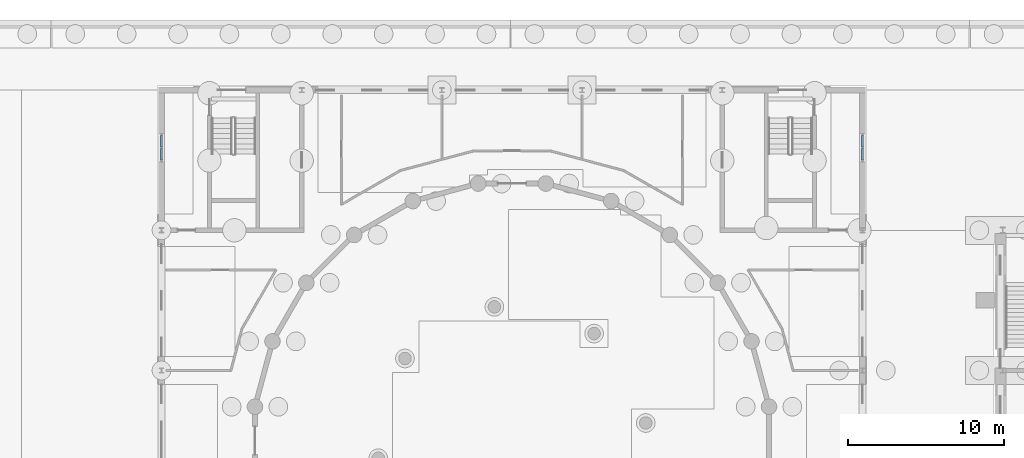
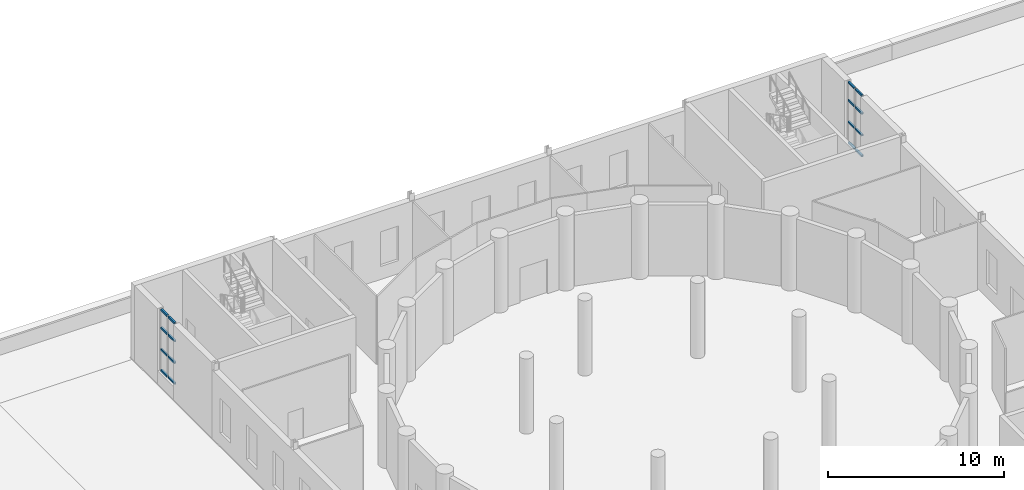
# One storey, part 70 of 168: 16 members, 2 elements without a shape of their own.
"""IFC4 building model written with IfcOpenShell, lengths in metres."""

from ifc_helpers import new_model, si_unit, direction, frame, origin, origin_2d, place, context, subcontext, project, spatial, hollow_rectangle, extrude, material, material_profile, profile_set, type_object, element, aggregate, save


model = new_model("IFC4")

# Units and contexts
model_context = context("Model", 3, precision=1e-05, world=origin(), true_north=direction((0.0, 1.0)))
body_context = subcontext(model_context, "Body", "Model", "MODEL_VIEW")
ifc_project = project(units=[si_unit("LENGTHUNIT", "METRE"), si_unit("AREAUNIT", "SQUARE_METRE"), si_unit("VOLUMEUNIT", "CUBIC_METRE"), si_unit("PLANEANGLEUNIT", "RADIAN"), si_unit("MASSUNIT", "GRAM", prefix="KILO")], contexts=[model_context])

# Site, building, storey
site_placement = place(None, origin())
site = spatial("IfcSite", under=ifc_project, at=site_placement, CompositionType="ELEMENT")
building_placement = place(site_placement, origin())
building = spatial("IfcBuilding", under=site, at=building_placement, Name="Golden Quay Civic Hall", CompositionType="ELEMENT")
storey_placement = place(building_placement, origin())
storey = spatial("IfcBuildingStorey", under=building, at=storey_placement, Name="L00", CompositionType="ELEMENT", Elevation=0.0)

# Curtain wall, members
ifc_material_1 = material(Name="Fire-resisting glass and steel", Category="steel")
curtain_wall_type = type_object("IfcCurtainWallType", Name="Fire-resisting glazed stair curtain wall EI 120", PredefinedType="NOTDEFINED", material=ifc_material_1)
curtain_wall_1_placement = place(storey_placement, origin())
curtain_wall_1 = element("IfcCurtainWall", 1, at=curtain_wall_1_placement, inside=storey, type_object=curtain_wall_type, Name="CW4 stair curtain wall", PredefinedType="NOTDEFINED")
ifc_material_2 = material(Name="Steel S355", Category="steel")
ifc_material_profile = material_profile(ifc_material_2, hollow_rectangle(XDim=0.1201171875, YDim=0.1201171875, WallThickness=0.012451171875, at=origin_2d()), Name="SHS 120x120x12.5")
ifc_profile_set = profile_set([ifc_material_profile], Name="Steel S355")
member_type = type_object("IfcMemberType", Name="Fire-resisting steel stair transom 120 x 120", PredefinedType="USERDEFINED", material=ifc_profile_set)
member_1_placement = place(storey_placement, frame((63.0, 103.52001953125, 0.9599609375), z_axis=(0.0, 1.0, 0.0), x_axis=(-1.0, 0.0, 0.0)))
member_1 = element("IfcMember", 2, at=member_1_placement, type_object=member_type, Name="CW4 transom 1.1", ObjectType="TRANSOM", PredefinedType="USERDEFINED", context=body_context, shape_type="SweptSolid", body=[
    extrude(hollow_rectangle(XDim=0.1201171875, YDim=0.1201171875, WallThickness=0.012451171875, at=origin_2d()), origin(), (0.0, 0.0, 1.0), 0.719970703125),
])
member_2_placement = place(storey_placement, frame((63.0, 103.52001953125, 2.39990234375), z_axis=(0.0, 1.0, 0.0), x_axis=(-1.0, 0.0, 0.0)))
member_2 = element("IfcMember", 3, at=member_2_placement, type_object=member_type, Name="CW4 transom 1.2", ObjectType="TRANSOM", PredefinedType="USERDEFINED", context=body_context, shape_type="SweptSolid", body=[
    extrude(hollow_rectangle(XDim=0.1201171875, YDim=0.1201171875, WallThickness=0.012451171875, at=origin_2d()), origin(), (0.0, 0.0, 1.0), 0.719970703125),
])
member_3_placement = place(storey_placement, frame((63.0, 103.52001953125, 3.89990234375), z_axis=(0.0, 1.0, 0.0), x_axis=(-1.0, 0.0, 0.0)))
member_3 = element("IfcMember", 4, at=member_3_placement, type_object=member_type, Name="CW4 transom 1.3", ObjectType="TRANSOM", PredefinedType="USERDEFINED", context=body_context, shape_type="SweptSolid", body=[
    extrude(hollow_rectangle(XDim=0.1201171875, YDim=0.1201171875, WallThickness=0.012451171875, at=origin_2d()), origin(), (0.0, 0.0, 1.0), 0.719970703125),
])
member_4_placement = place(storey_placement, frame((63.0, 103.52001953125, 5.139892578125), z_axis=(0.0, 1.0, 0.0), x_axis=(-1.0, 0.0, 0.0)))
member_4 = element("IfcMember", 5, at=member_4_placement, type_object=member_type, Name="CW4 transom 1.4", ObjectType="TRANSOM", PredefinedType="USERDEFINED", context=body_context, shape_type="SweptSolid", body=[
    extrude(hollow_rectangle(XDim=0.1201171875, YDim=0.1201171875, WallThickness=0.012451171875, at=origin_2d()), origin(), (0.0, 0.0, 1.0), 0.719970703125),
])
member_5_placement = place(storey_placement, frame((63.0, 104.360107421875, 0.9599609375), z_axis=(0.0, 1.0, 0.0), x_axis=(-1.0, 0.0, 0.0)))
member_5 = element("IfcMember", 6, at=member_5_placement, type_object=member_type, Name="CW4 transom 2.1", ObjectType="TRANSOM", PredefinedType="USERDEFINED", context=body_context, shape_type="SweptSolid", body=[
    extrude(hollow_rectangle(XDim=0.1201171875, YDim=0.1201171875, WallThickness=0.012451171875, at=origin_2d()), origin(), (0.0, 0.0, 1.0), 0.719970703125),
])
member_6_placement = place(storey_placement, frame((63.0, 104.360107421875, 2.39990234375), z_axis=(0.0, 1.0, 0.0), x_axis=(-1.0, 0.0, 0.0)))
member_6 = element("IfcMember", 7, at=member_6_placement, type_object=member_type, Name="CW4 transom 2.2", ObjectType="TRANSOM", PredefinedType="USERDEFINED", context=body_context, shape_type="SweptSolid", body=[
    extrude(hollow_rectangle(XDim=0.1201171875, YDim=0.1201171875, WallThickness=0.012451171875, at=origin_2d()), origin(), (0.0, 0.0, 1.0), 0.719970703125),
])
member_7_placement = place(storey_placement, frame((63.0, 104.360107421875, 3.89990234375), z_axis=(0.0, 1.0, 0.0), x_axis=(-1.0, 0.0, 0.0)))
member_7 = element("IfcMember", 8, at=member_7_placement, type_object=member_type, Name="CW4 transom 2.3", ObjectType="TRANSOM", PredefinedType="USERDEFINED", context=body_context, shape_type="SweptSolid", body=[
    extrude(hollow_rectangle(XDim=0.1201171875, YDim=0.1201171875, WallThickness=0.012451171875, at=origin_2d()), origin(), (0.0, 0.0, 1.0), 0.719970703125),
])
member_8_placement = place(storey_placement, frame((63.0, 104.360107421875, 5.139892578125), z_axis=(0.0, 1.0, 0.0), x_axis=(-1.0, 0.0, 0.0)))
member_8 = element("IfcMember", 9, at=member_8_placement, type_object=member_type, Name="CW4 transom 2.4", ObjectType="TRANSOM", PredefinedType="USERDEFINED", context=body_context, shape_type="SweptSolid", body=[
    extrude(hollow_rectangle(XDim=0.1201171875, YDim=0.1201171875, WallThickness=0.012451171875, at=origin_2d()), origin(), (0.0, 0.0, 1.0), 0.719970703125),
])
aggregate(curtain_wall_1, [member_1, member_2, member_3, member_4, member_5, member_6, member_7, member_8])

curtain_wall_2_placement = place(storey_placement, origin())
curtain_wall_2 = element("IfcCurtainWall", 10, at=curtain_wall_2_placement, inside=storey, type_object=curtain_wall_type, Name="CW4 stair curtain wall", PredefinedType="NOTDEFINED")
member_9_placement = place(storey_placement, frame((108.0, 103.52001953125, 0.9599609375), z_axis=(0.0, 1.0, 0.0), x_axis=(-1.0, 0.0, 0.0)))
member_9 = element("IfcMember", 11, at=member_9_placement, type_object=member_type, Name="CW4 transom 1.1", ObjectType="TRANSOM", PredefinedType="USERDEFINED", context=body_context, shape_type="SweptSolid", body=[
    extrude(hollow_rectangle(XDim=0.1201171875, YDim=0.1201171875, WallThickness=0.012451171875, at=origin_2d()), origin(), (0.0, 0.0, 1.0), 0.719970703125),
])
member_10_placement = place(storey_placement, frame((108.0, 103.52001953125, 2.39990234375), z_axis=(0.0, 1.0, 0.0), x_axis=(-1.0, 0.0, 0.0)))
member_10 = element("IfcMember", 12, at=member_10_placement, type_object=member_type, Name="CW4 transom 1.2", ObjectType="TRANSOM", PredefinedType="USERDEFINED", context=body_context, shape_type="SweptSolid", body=[
    extrude(hollow_rectangle(XDim=0.1201171875, YDim=0.1201171875, WallThickness=0.012451171875, at=origin_2d()), origin(), (0.0, 0.0, 1.0), 0.719970703125),
])
member_11_placement = place(storey_placement, frame((108.0, 103.52001953125, 3.89990234375), z_axis=(0.0, 1.0, 0.0), x_axis=(-1.0, 0.0, 0.0)))
member_11 = element("IfcMember", 13, at=member_11_placement, type_object=member_type, Name="CW4 transom 1.3", ObjectType="TRANSOM", PredefinedType="USERDEFINED", context=body_context, shape_type="SweptSolid", body=[
    extrude(hollow_rectangle(XDim=0.1201171875, YDim=0.1201171875, WallThickness=0.012451171875, at=origin_2d()), origin(), (0.0, 0.0, 1.0), 0.719970703125),
])
member_12_placement = place(storey_placement, frame((108.0, 103.52001953125, 5.139892578125), z_axis=(0.0, 1.0, 0.0), x_axis=(-1.0, 0.0, 0.0)))
member_12 = element("IfcMember", 14, at=member_12_placement, type_object=member_type, Name="CW4 transom 1.4", ObjectType="TRANSOM", PredefinedType="USERDEFINED", context=body_context, shape_type="SweptSolid", body=[
    extrude(hollow_rectangle(XDim=0.1201171875, YDim=0.1201171875, WallThickness=0.012451171875, at=origin_2d()), origin(), (0.0, 0.0, 1.0), 0.719970703125),
])
member_13_placement = place(storey_placement, frame((108.0, 104.360107421875, 0.9599609375), z_axis=(0.0, 1.0, 0.0), x_axis=(-1.0, 0.0, 0.0)))
member_13 = element("IfcMember", 15, at=member_13_placement, type_object=member_type, Name="CW4 transom 2.1", ObjectType="TRANSOM", PredefinedType="USERDEFINED", context=body_context, shape_type="SweptSolid", body=[
    extrude(hollow_rectangle(XDim=0.1201171875, YDim=0.1201171875, WallThickness=0.012451171875, at=origin_2d()), origin(), (0.0, 0.0, 1.0), 0.719970703125),
])
member_14_placement = place(storey_placement, frame((108.0, 104.360107421875, 2.39990234375), z_axis=(0.0, 1.0, 0.0), x_axis=(-1.0, 0.0, 0.0)))
member_14 = element("IfcMember", 16, at=member_14_placement, type_object=member_type, Name="CW4 transom 2.2", ObjectType="TRANSOM", PredefinedType="USERDEFINED", context=body_context, shape_type="SweptSolid", body=[
    extrude(hollow_rectangle(XDim=0.1201171875, YDim=0.1201171875, WallThickness=0.012451171875, at=origin_2d()), origin(), (0.0, 0.0, 1.0), 0.719970703125),
])
member_15_placement = place(storey_placement, frame((108.0, 104.360107421875, 3.89990234375), z_axis=(0.0, 1.0, 0.0), x_axis=(-1.0, 0.0, 0.0)))
member_15 = element("IfcMember", 17, at=member_15_placement, type_object=member_type, Name="CW4 transom 2.3", ObjectType="TRANSOM", PredefinedType="USERDEFINED", context=body_context, shape_type="SweptSolid", body=[
    extrude(hollow_rectangle(XDim=0.1201171875, YDim=0.1201171875, WallThickness=0.012451171875, at=origin_2d()), origin(), (0.0, 0.0, 1.0), 0.719970703125),
])
member_16_placement = place(storey_placement, frame((108.0, 104.360107421875, 5.139892578125), z_axis=(0.0, 1.0, 0.0), x_axis=(-1.0, 0.0, 0.0)))
member_16 = element("IfcMember", 18, at=member_16_placement, type_object=member_type, Name="CW4 transom 2.4", ObjectType="TRANSOM", PredefinedType="USERDEFINED", context=body_context, shape_type="SweptSolid", body=[
    extrude(hollow_rectangle(XDim=0.1201171875, YDim=0.1201171875, WallThickness=0.012451171875, at=origin_2d()), origin(), (0.0, 0.0, 1.0), 0.719970703125),
])
aggregate(curtain_wall_2, [member_9, member_10, member_11, member_12, member_13, member_14, member_15, member_16])

save(model, "model.ifc")
